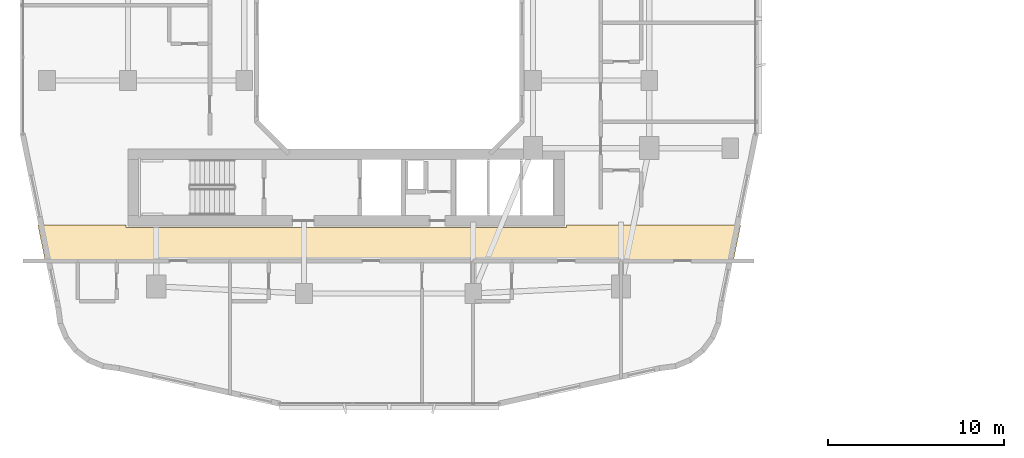
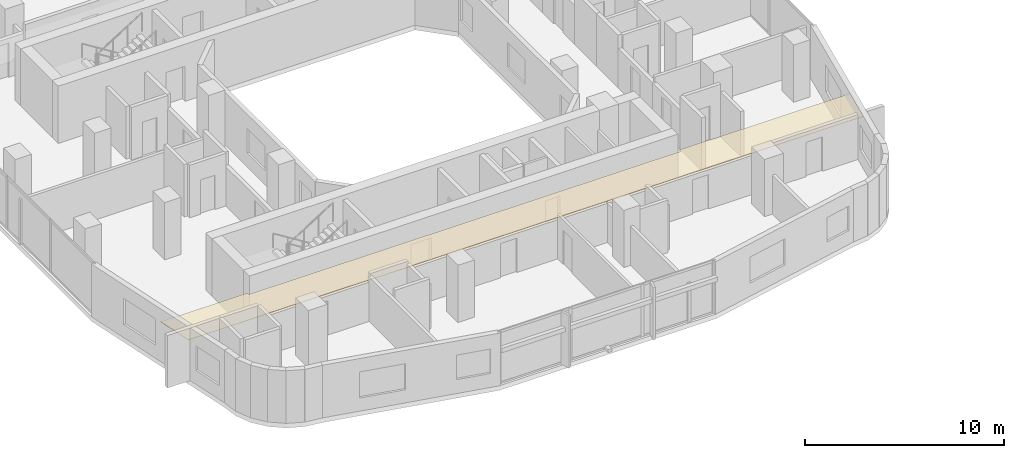
# One storey, part 24 of 27: 1 covering.
"""IFC4 building model written with IfcOpenShell, lengths in metres."""

from ifc_helpers import new_model, si_unit, derived_unit, direction, frame, origin, place, context, subcontext, project, spatial, polyline, outline, extrude, material, layer, layer_set, type_object, element, save


model = new_model("IFC4")

# Units and contexts
model_context = context("Model", 3, precision=1e-05, world=origin(), true_north=direction((0.0, 1.0)))
body_context = subcontext(model_context, "Body", "Model", "MODEL_VIEW")
ifc_project = project(units=[si_unit("LENGTHUNIT", "METRE"), si_unit("AREAUNIT", "SQUARE_METRE"), si_unit("VOLUMEUNIT", "CUBIC_METRE"), si_unit("PLANEANGLEUNIT", "RADIAN"), si_unit("MASSUNIT", "GRAM", prefix="KILO"), derived_unit("THERMALTRANSMITTANCEUNIT", [(si_unit("POWERUNIT", "WATT"), 1), (si_unit("LENGTHUNIT", "METRE"), -2), (si_unit("THERMODYNAMICTEMPERATUREUNIT", "KELVIN"), -1)])], contexts=[model_context])

# Site, building, storey
site_placement = place(None, origin())
site = spatial("IfcSite", under=ifc_project, at=site_placement, CompositionType="ELEMENT")
building_placement = place(site_placement, origin())
building = spatial("IfcBuilding", under=site, at=building_placement, Name="Kivonza Crest Hotel", CompositionType="ELEMENT")
storey_placement = place(building_placement, frame((0.0, 0.0, 41.5)))
storey = spatial("IfcBuildingStorey", under=building, at=storey_placement, Name="L10", CompositionType="ELEMENT", Elevation=41.5)

# Covering
ifc_material = material(Name="Mineral-fibre acoustic ceiling tile", Category="gypsum")
ifc_layer = layer(ifc_material, 0.02490234375)
ifc_layer_set = layer_set([ifc_layer], Name="Mineral-fibre acoustic ceiling tile")
covering_type = type_object("IfcCoveringType", Name="CV-CEIL-ACOU", PredefinedType="CEILING", material=ifc_layer_set)
covering_placement = place(storey_placement, frame((0.0, 0.0, 2.449951171875)))
element("IfcCovering", 1, at=covering_placement, inside=storey, type_object=covering_type, Name="L10 Hotel South Guest Corridor suspended ceiling", PredefinedType="CEILING", context=body_context, shape_type="SweptSolid", body=[
    extrude(outline(polyline([(31.10009765625, 13.2900390625), (31.10009765625, 13.139892578125), (6.10009765625, 13.139892578125), (6.10009765625, 13.280029296875), (1.083984375, 13.280029296875), (1.506103515625, 11.2099609375), (40.573974609375, 11.2099609375), (40.99609375, 13.280029296875), (33.090087890625, 13.280029296875), (33.090087890625, 13.2900390625), (31.10009765625, 13.2900390625)])), origin(), (0.0, 0.0, 1.0), 0.025146484375),
])

save(model, "model.ifc")
